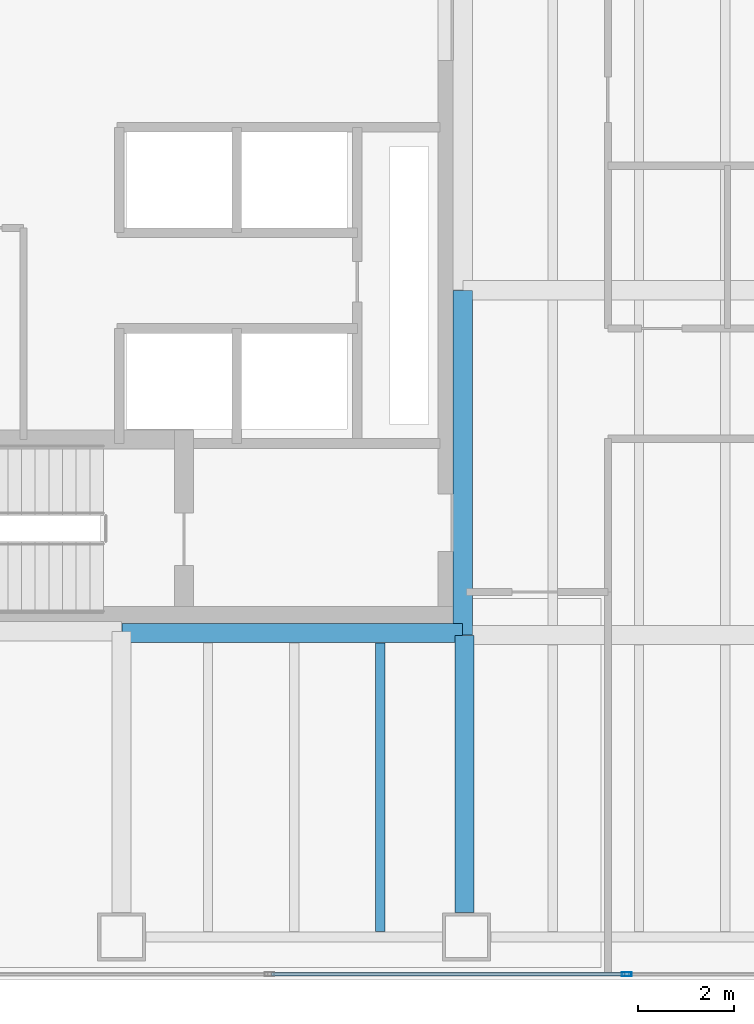
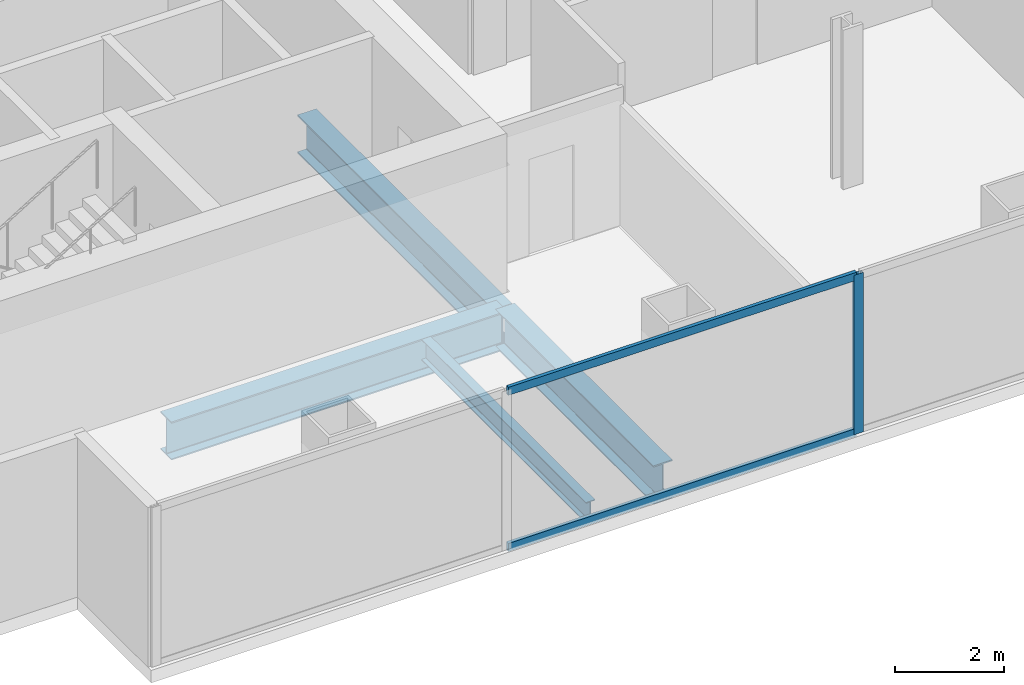
# One storey, part 3 of 25: 4 beams, 3 members, 1 element without a shape of its own.
"""IFC4 building model written with IfcOpenShell, lengths in metres."""

import ifcopenshell
import ifcopenshell.guid

model = None  # the IFC model being written
_history = None  # IfcOwnerHistory: only IFC2X3 demands one
_inside = {}  # id of a spatial element -> (the spatial element, [elements in it])
_under = {}  # id of a project, library or spatial element -> (it, [spatial elements below it])
_declared = {}  # id of a project -> (the project, [libraries it declares])
_typed = {}  # id of a type object -> (the type object, [elements of that type])
_made_of = {}  # id of a material, layer set ... -> (it, [elements and type objects made of it])


def new_model(schema):
    """Start an empty IFC model of exactly this schema.

    Asked for "IFC4X3", IfcOpenShell would pick the latest addendum, in which some entities
    have other attributes; the version numbers below select the first issue.
    IFC2X3 requires an IfcOwnerHistory on every rooted entity: one is made here for all.
    """
    global model, _history
    if schema == "IFC4X3":
        model = ifcopenshell.file(schema_version=(4, 3, 0, 0))
    else:
        model = ifcopenshell.file(schema=schema)
    _inside.clear()
    _under.clear()
    _declared.clear()
    _typed.clear()
    _made_of.clear()
    _history = None
    if model.schema == "IFC2X3":
        org = make("IfcOrganization", Name="unknown")
        user = make(
            "IfcPersonAndOrganization",
            ThePerson=make("IfcPerson", FamilyName="unknown"),
            TheOrganization=org,
        )
        app = make(
            "IfcApplication",
            ApplicationDeveloper=org,
            Version="unknown",
            ApplicationFullName="unknown",
            ApplicationIdentifier="unknown",
        )
        _history = make(
            "IfcOwnerHistory",
            OwningUser=user,
            OwningApplication=app,
            ChangeAction="ADDED",
            CreationDate=0,
        )
    return model


def make(cls, **values):
    """One entity of the class cls with the attributes given. An attribute that is None is left unset."""
    return model.create_entity(
        cls, **{name: value for name, value in values.items() if value is not None}
    )


def rooted(cls, **values):
    """An entity with a GlobalId (a new one), such as an element, a storey or a relation."""
    return make(cls, GlobalId=ifcopenshell.guid.new(), OwnerHistory=_history, **values)


def si_unit(unit_type, name, prefix=None):
    """IfcSIUnit, for example si_unit("LENGTHUNIT", "METRE", prefix="MILLI")."""
    return make("IfcSIUnit", UnitType=unit_type, Prefix=prefix, Name=name)


def assignment(units):
    """IfcUnitAssignment: the units of a project."""
    return None if units is None else make("IfcUnitAssignment", Units=units)


def point(xyz):
    """IfcCartesianPoint."""
    return None if xyz is None else make("IfcCartesianPoint", Coordinates=xyz)


def direction(xyz):
    """IfcDirection."""
    return None if xyz is None else make("IfcDirection", DirectionRatios=xyz)


def frame(location, z_axis=None, x_axis=None):
    """IfcAxis2Placement3D, a coordinate frame: its origin and axes. An axis left out is left unset."""
    return make(
        "IfcAxis2Placement3D",
        Location=point(location),
        Axis=direction(z_axis),
        RefDirection=direction(x_axis),
    )


def frame_2d(location, x_axis=None):
    """IfcAxis2Placement2D, a coordinate frame in the plane: its origin and x axis."""
    return make(
        "IfcAxis2Placement2D", Location=point(location), RefDirection=direction(x_axis)
    )


def origin():
    """The frame at (0, 0, 0) with its axes left unset."""
    return frame((0.0, 0.0, 0.0))


def origin_2d():
    """The frame at (0, 0) in the plane with its x axis left unset."""
    return frame_2d((0.0, 0.0))


def place(relative_to, where):
    """IfcLocalPlacement: puts the frame where relative to a parent placement (None: the world)."""
    return make(
        "IfcLocalPlacement", PlacementRelTo=relative_to, RelativePlacement=where
    )


def context(
    kind, dimensions, precision=None, world=None, true_north=None, identifier=None
):
    """IfcGeometricRepresentationContext, for example the 3D "Model" context."""
    return make(
        "IfcGeometricRepresentationContext",
        ContextIdentifier=identifier,
        ContextType=kind,
        CoordinateSpaceDimension=dimensions,
        Precision=precision,
        WorldCoordinateSystem=world,
        TrueNorth=true_north,
    )


def subcontext(parent, identifier, kind, view, scale=None):
    """IfcGeometricRepresentationSubContext, for example "Body" below "Model"."""
    return make(
        "IfcGeometricRepresentationSubContext",
        ContextIdentifier=identifier,
        ContextType=kind,
        ParentContext=parent,
        TargetScale=scale,
        TargetView=view,
    )


def project(units=None, contexts=None):
    """IfcProject with its units and contexts."""
    return rooted(
        "IfcProject",
        Name="project",
        RepresentationContexts=contexts,
        UnitsInContext=assignment(units),
    )


def spatial(cls, under=None, at=None, **own):
    """A site, building, storey or space (cls), placed at a placement, below another one or the project."""
    s = rooted(cls, ObjectPlacement=at, **own)
    if under is not None:
        _under.setdefault(under.id(), (under, []))[1].append(s)
    return s


def profile(cls, at=None, kind="AREA", **sizes):
    """A parametric profile (cls). Its sizes go by their IFC names, for example OverallWidth=200.0."""
    return make(cls, ProfileType=kind, Position=at, **sizes)


def hollow_rectangle(**sizes):
    """IfcRectangleHollowProfileDef."""
    return profile("IfcRectangleHollowProfileDef", **sizes)


def i_section(**sizes):
    """IfcIShapeProfileDef."""
    return profile("IfcIShapeProfileDef", **sizes)


def extrude(swept, where, along, depth):
    """IfcExtrudedAreaSolid: the profile swept, set in the frame where, extruded along a direction by depth."""
    return make(
        "IfcExtrudedAreaSolid",
        SweptArea=swept,
        Position=where,
        ExtrudedDirection=direction(along),
        Depth=depth,
    )


def shape(context_of_items, identifier, shape_type, items):
    """IfcShapeRepresentation: the items that make up one representation, for example the "Body"."""
    return make(
        "IfcShapeRepresentation",
        ContextOfItems=context_of_items,
        RepresentationIdentifier=identifier,
        RepresentationType=shape_type,
        Items=items,
    )


def material(Name=None, Category=None):
    """IfcMaterial."""
    return make("IfcMaterial", Name=Name, Category=Category)


def material_profile(
    of_material, cross_section, Name=None, Category=None, Priority=None
):
    """IfcMaterialProfile: a cross section and its material."""
    return make(
        "IfcMaterialProfile",
        Name=Name,
        Material=of_material,
        Profile=cross_section,
        Priority=Priority,
        Category=Category,
    )


def profile_set(profiles, Name=None, composite=None):
    """IfcMaterialProfileSet."""
    return make(
        "IfcMaterialProfileSet",
        Name=Name,
        MaterialProfiles=profiles,
        CompositeProfile=composite,
    )


def made_of(thing, what):
    """Note that an element or type object is made of a material, layer set ...; save() writes the relation."""
    if what is not None:
        _made_of.setdefault(what.id(), (what, []))[1].append(thing)
    return thing


def type_object(cls, material=None, **own):
    """A type object (cls), such as IfcWallType, which elements share."""
    return made_of(rooted(cls, **own), material)


def element(
    cls,
    number,
    at=None,
    inside=None,
    cuts=None,
    type_object=None,
    material=None,
    context=None,
    identifier="Body",
    shape_type=None,
    held_by="IfcProductDefinitionShape",
    body=None,
    shapes=None,
    **own,
):
    """One element of the class cls, such as IfcWall. Its Tag is "e" and its number.

    at: its placement. inside: the storey or other place that contains it. cuts: it is an
    opening in that element (IfcRelVoidsElement). A single representation is given by context,
    identifier, shape_type and body (its items); several are given by shapes. held_by: the class
    of the entity that holds the representations. save() writes the other relations.
    """
    e = rooted(cls, Tag="e%d" % number, ObjectPlacement=at, **own)
    if body is not None:
        shapes = [shape(context, identifier, shape_type, body)]
    if shapes is not None:
        e.Representation = make(held_by, Representations=shapes)
    if inside is not None:
        _inside.setdefault(inside.id(), (inside, []))[1].append(e)
    if cuts is not None:
        rooted(
            "IfcRelVoidsElement", RelatingBuildingElement=cuts, RelatedOpeningElement=e
        )
    if type_object is not None:
        _typed.setdefault(type_object.id(), (type_object, []))[1].append(e)
    return made_of(e, material)


def aggregate(whole, parts):
    """IfcRelAggregates: a whole, such as a stair, and the parts it consists of."""
    return rooted("IfcRelAggregates", RelatingObject=whole, RelatedObjects=parts)


def save(model, path):
    """Write the relations noted so far, then the file.

    IfcRelAggregates (storeys below a building ...), IfcRelContainedInSpatialStructure (elements
    in a storey), IfcRelDefinesByType, IfcRelAssociatesMaterial and IfcRelDeclares: one each for
    every whole, place, type object, material and project.
    """
    for whole, parts in _under.values():
        aggregate(whole, parts)
    for where, things in _inside.values():
        rooted(
            "IfcRelContainedInSpatialStructure",
            RelatedElements=things,
            RelatingStructure=where,
        )
    for kind, things in _typed.values():
        rooted("IfcRelDefinesByType", RelatedObjects=things, RelatingType=kind)
    for what, things in _made_of.values():
        rooted("IfcRelAssociatesMaterial", RelatedObjects=things, RelatingMaterial=what)
    for by, libraries in _declared.values():
        rooted("IfcRelDeclares", RelatingContext=by, RelatedDefinitions=libraries)
    model.write(path)


model = new_model("IFC4")

# Units and contexts
model_context = context("Model", 3, precision=1e-05, world=origin(), true_north=direction((0.0, 1.0)))
body_context = subcontext(model_context, "Body", "Model", "MODEL_VIEW")
ifc_project = project(units=[si_unit("LENGTHUNIT", "METRE"), si_unit("AREAUNIT", "SQUARE_METRE"), si_unit("VOLUMEUNIT", "CUBIC_METRE"), si_unit("PLANEANGLEUNIT", "RADIAN"), si_unit("MASSUNIT", "GRAM", prefix="KILO")], contexts=[model_context])

# Site, building, storey
site_placement = place(None, origin())
site = spatial("IfcSite", under=ifc_project, at=site_placement, CompositionType="ELEMENT")
building_placement = place(site_placement, origin())
building = spatial("IfcBuilding", under=site, at=building_placement, Name="Cobrela Telecom Tower", CompositionType="ELEMENT")
storey_placement = place(building_placement, frame((0.0, 0.0, 61.949951171875)))
storey = spatial("IfcBuildingStorey", under=building, at=storey_placement, Name="L15", CompositionType="ELEMENT", Elevation=61.949951171875)

# Beams
ifc_material_1 = material(Name="Steel ASTM A992 Grade 50", Category="steel")
ifc_material_profile_1 = material_profile(ifc_material_1, i_section(OverallWidth=0.39892578125, OverallDepth=0.85595703125, WebThickness=0.018310546875, FlangeThickness=0.029296875, FilletRadius=0.02001953125, at=origin_2d()), Name="W33X201")
ifc_profile_set_1 = profile_set([ifc_material_profile_1], Name="Steel ASTM A992 Grade 50")
beam_type_1 = type_object("IfcBeamType", Name="BM-GIRD-03", PredefinedType="USERDEFINED", material=ifc_profile_set_1)
beam_1_placement = place(storey_placement, frame((7.205078125, 7.239990234375, -0.7080078125), z_axis=(1.0, 0.0, 0.0), x_axis=(0.0, 1.0, 0.0)))
element("IfcBeam", 1, at=beam_1_placement, inside=storey, type_object=beam_type_1, Name="L15 Primary Girder X07", ObjectType="GIRDER", PredefinedType="USERDEFINED", context=body_context, shape_type="SweptSolid", body=[
    extrude(i_section(OverallWidth=0.39892578125, OverallDepth=0.85595703125, WebThickness=0.018310546875, FlangeThickness=0.029296875, FilletRadius=0.02001953125, at=origin_2d()), origin(), (0.0, 0.0, 1.0), 7.10986328125),
])
beam_2_placement = place(storey_placement, frame((14.360107421875, 1.405029296875, -0.7080078125), z_axis=(0.0, 1.0, 0.0), x_axis=(-1.0, 0.0, 0.0)))
element("IfcBeam", 2, at=beam_2_placement, inside=storey, type_object=beam_type_1, Name="L15 Primary Girder Y34", ObjectType="GIRDER", PredefinedType="USERDEFINED", context=body_context, shape_type="SweptSolid", body=[
    extrude(i_section(OverallWidth=0.39892578125, OverallDepth=0.85595703125, WebThickness=0.018310546875, FlangeThickness=0.029296875, FilletRadius=0.02001953125, at=origin_2d()), origin(), (0.0, 0.0, 1.0), 5.7900390625),
])
beam_3_placement = place(storey_placement, frame((14.320068359375, 7.205078125, -0.7080078125), z_axis=(0.0, 1.0, 0.0), x_axis=(-1.0, 0.0, 0.0)))
element("IfcBeam", 3, at=beam_3_placement, inside=storey, type_object=beam_type_1, Name="L15 Primary Girder Y35", ObjectType="GIRDER", PredefinedType="USERDEFINED", context=body_context, shape_type="SweptSolid", body=[
    extrude(i_section(OverallWidth=0.39892578125, OverallDepth=0.85595703125, WebThickness=0.018310546875, FlangeThickness=0.029296875, FilletRadius=0.02001953125, at=origin_2d()), origin(), (0.0, 0.0, 1.0), 7.18994140625),
])
ifc_material_profile_2 = material_profile(ifc_material_1, i_section(OverallWidth=0.193115234375, OverallDepth=0.467041015625, WebThickness=0.011474609375, FlangeThickness=0.01904296875, FilletRadius=0.012939453125, at=origin_2d()), Name="W18X65")
ifc_profile_set_2 = profile_set([ifc_material_profile_2], Name="Steel ASTM A992 Grade 50")
beam_type_2 = type_object("IfcBeamType", Name="BM-JOIST-03", PredefinedType="JOIST", material=ifc_profile_set_2)
beam_4_placement = place(storey_placement, frame((12.60009765625, 1.011474609375, -0.513427734375), z_axis=(0.0, 1.0, 0.0), x_axis=(-1.0, 0.0, 0.0)))
element("IfcBeam", 4, at=beam_4_placement, inside=storey, type_object=beam_type_2, Name="L15 Secondary Composite Floor Beam J05", PredefinedType="JOIST", context=body_context, shape_type="SweptSolid", body=[
    extrude(i_section(OverallWidth=0.193115234375, OverallDepth=0.467041015625, WebThickness=0.011474609375, FlangeThickness=0.01904296875, FilletRadius=0.012939453125, at=origin_2d()), origin(), (0.0, 0.0, 1.0), 6.02392578125),
])

# Curtain wall, members
ifc_material_2 = material(Name="Anodized Bronze Aluminium 6063-T6", Category="aluminium")
curtain_wall_type = type_object("IfcCurtainWallType", Name="CW-SYS-DATA", PredefinedType="USERDEFINED", material=ifc_material_2)
curtain_wall_placement = place(storey_placement, origin())
curtain_wall = element("IfcCurtainWall", 5, at=curtain_wall_placement, inside=storey, type_object=curtain_wall_type, Name="L15 Unitised Bronze Curtain Wall 17", ObjectType="UNITISED CURTAIN WALL", PredefinedType="USERDEFINED")
ifc_material_profile_3 = material_profile(ifc_material_2, hollow_rectangle(XDim=0.080078125, YDim=0.199951171875, WallThickness=0.00390625, at=origin_2d()), Name="ALU 80x200x4")
ifc_profile_set_3 = profile_set([ifc_material_profile_3], Name="Anodized Bronze Aluminium 6063-T6")
member_type_1 = type_object("IfcMemberType", Name="CW-SYS-DATA-MUL", PredefinedType="MULLION", material=ifc_profile_set_3)
member_1_placement = place(storey_placement, frame((17.743408203125, 0.1201171875, 0.0), z_axis=(0.0, 0.0, 1.0), x_axis=(0.0, -1.0, 0.0)))
member_1 = element("IfcMember", 6, at=member_1_placement, type_object=member_type_1, Name="CW-DATA mullion 5", PredefinedType="MULLION", context=body_context, shape_type="SweptSolid", body=[
    extrude(hollow_rectangle(XDim=0.080078125, YDim=0.199951171875, WallThickness=0.00390625, at=origin_2d()), origin(), (0.0, 0.0, 1.0), 3.570068359375),
])
ifc_material_profile_4 = material_profile(ifc_material_2, hollow_rectangle(XDim=0.074951171875, YDim=0.179931640625, WallThickness=0.00390625, at=origin_2d()), Name="ALU 75x180x4")
ifc_profile_set_4 = profile_set([ifc_material_profile_4], Name="Anodized Bronze Aluminium 6063-T6")
member_type_2 = type_object("IfcMemberType", Name="CW-SYS-DATA-TRN", PredefinedType="USERDEFINED", material=ifc_profile_set_4)
member_2_placement = place(storey_placement, frame((17.703369140625, 0.1201171875, 0.03759765625), z_axis=(-1.0, 0.0, 0.0), x_axis=(0.0, -1.0, 0.0)))
member_2 = element("IfcMember", 7, at=member_2_placement, type_object=member_type_2, Name="CW-DATA transom 5.1", ObjectType="TRANSOM", PredefinedType="USERDEFINED", context=body_context, shape_type="SweptSolid", body=[
    extrude(hollow_rectangle(XDim=0.074951171875, YDim=0.179931640625, WallThickness=0.00390625, at=origin_2d()), origin(), (0.0, 0.0, 1.0), 7.376708984375),
])
member_3_placement = place(storey_placement, frame((17.703369140625, 0.1201171875, 3.532470703125), z_axis=(-1.0, 0.0, 0.0), x_axis=(0.0, -1.0, 0.0)))
member_3 = element("IfcMember", 8, at=member_3_placement, type_object=member_type_2, Name="CW-DATA transom 5.2", ObjectType="TRANSOM", PredefinedType="USERDEFINED", context=body_context, shape_type="SweptSolid", body=[
    extrude(hollow_rectangle(XDim=0.074951171875, YDim=0.179931640625, WallThickness=0.00390625, at=origin_2d()), origin(), (0.0, 0.0, 1.0), 7.376708984375),
])
aggregate(curtain_wall, [member_1, member_2, member_3])

save(model, "model.ifc")
